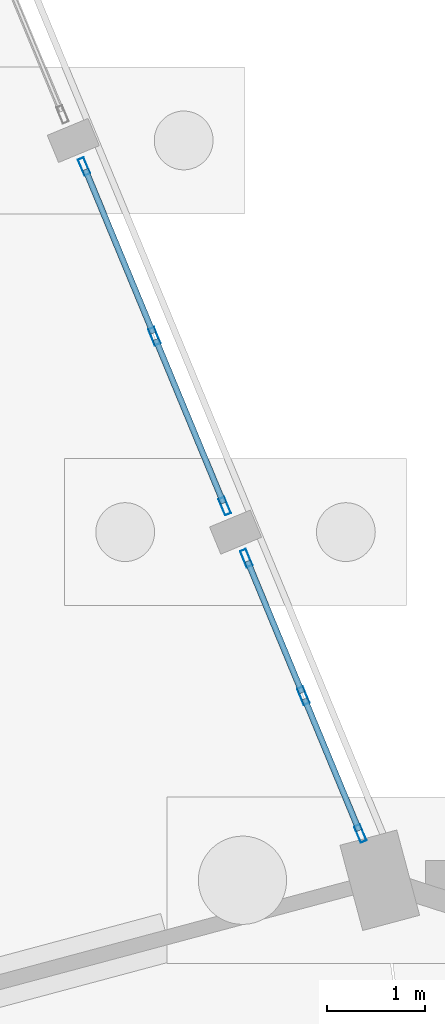
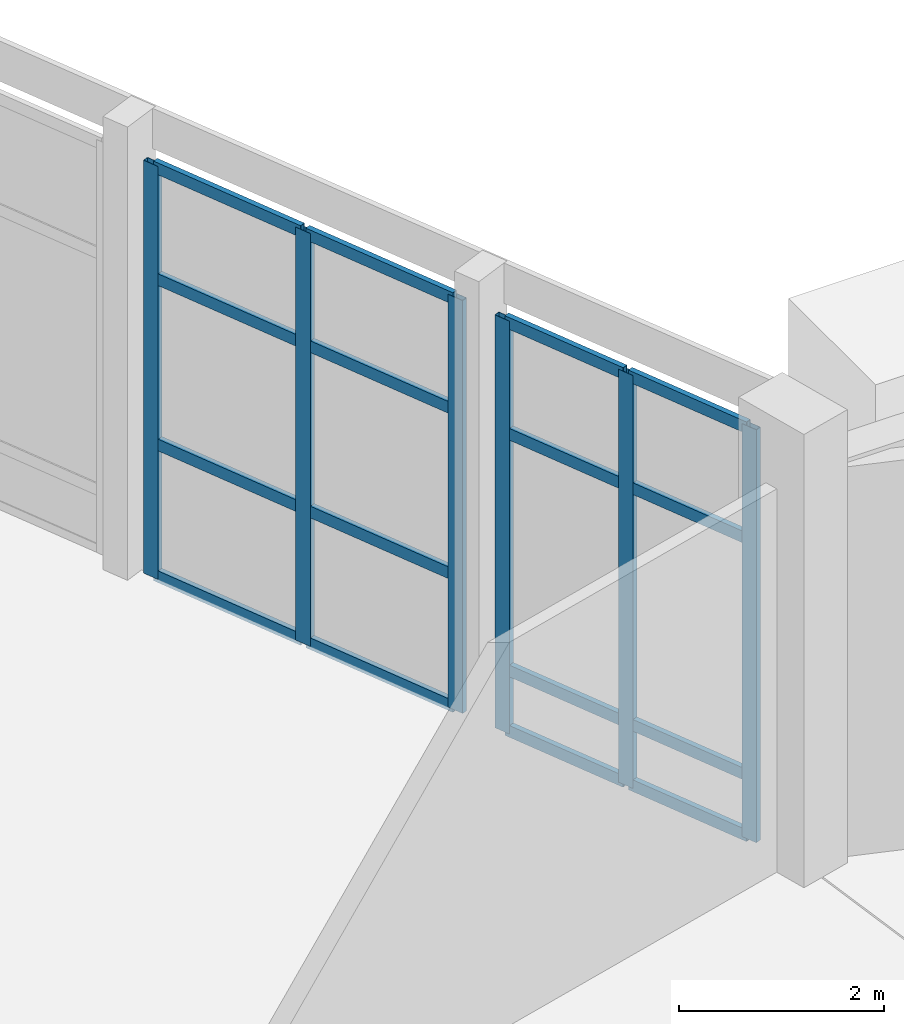
# One storey, part 77 of 137: 22 members, 2 elements without a shape of their own.
"""IFC4 building model written with IfcOpenShell, lengths in metres."""

from ifc_helpers import new_model, si_unit, direction, frame, origin, origin_2d, place, context, subcontext, project, spatial, hollow_rectangle, extrude, material, material_profile, profile_set, type_object, element, aggregate, save


model = new_model("IFC4")

# Units and contexts
model_context = context("Model", 3, precision=1e-05, world=origin(), true_north=direction((0.0, 1.0)))
body_context = subcontext(model_context, "Body", "Model", "MODEL_VIEW")
ifc_project = project(units=[si_unit("LENGTHUNIT", "METRE"), si_unit("AREAUNIT", "SQUARE_METRE"), si_unit("VOLUMEUNIT", "CUBIC_METRE"), si_unit("PLANEANGLEUNIT", "RADIAN"), si_unit("MASSUNIT", "GRAM", prefix="KILO")], contexts=[model_context])

# Site, building, storey
site_placement = place(None, origin())
site = spatial("IfcSite", under=ifc_project, at=site_placement, CompositionType="ELEMENT")
building_placement = place(site_placement, origin())
building = spatial("IfcBuilding", under=site, at=building_placement, Name="Vondelvale Polytechnic", CompositionType="ELEMENT")
storey_placement = place(building_placement, origin())
storey = spatial("IfcBuildingStorey", under=building, at=storey_placement, Name="L00", CompositionType="ELEMENT", Elevation=0.0)

# Curtain wall, members
ifc_material_1 = material(Name="Glulam GL18 structural Tasmanian oak (fb = 42 MPa)", Category="wood")
curtain_wall_type = type_object("IfcCurtainWallType", Name="CW-RING-OUTER", PredefinedType="NOTDEFINED", material=ifc_material_1)
curtain_wall_1_placement = place(storey_placement, origin())
curtain_wall_1 = element("IfcCurtainWall", 1, at=curtain_wall_1_placement, inside=storey, type_object=curtain_wall_type, Name="L00 architectural curtain wall CW-04-074", PredefinedType="NOTDEFINED")
ifc_material_2 = material(Name="Anodised extruded aluminium 6063-T6", Category="aluminium")
ifc_material_profile_1 = material_profile(ifc_material_2, hollow_rectangle(XDim=0.06494140625, YDim=0.179931640625, WallThickness=0.00390625, at=origin_2d()), Name="CW-MUL-180x65")
ifc_profile_set_1 = profile_set([ifc_material_profile_1], Name="Anodised extruded aluminium 6063-T6")
member_type_1 = type_object("IfcMemberType", Name="CW-MUL-65x180", PredefinedType="MULLION", material=ifc_profile_set_1)
member_1_placement = place(storey_placement, frame((146.23486328125, 84.3828125, 0.0), z_axis=(0.0, 0.0, 1.0), x_axis=(-0.92388135159, -0.382679040691, 0.0)))
member_1 = element("IfcMember", 2, at=member_1_placement, type_object=member_type_1, Name="CW-04-074 mullion 1", PredefinedType="MULLION", context=body_context, shape_type="SweptSolid", body=[
    extrude(hollow_rectangle(XDim=0.06494140625, YDim=0.179931640625, WallThickness=0.00390625, at=origin_2d()), origin(), (0.0, 0.0, 1.0), 4.919921875),
])
member_2_placement = place(storey_placement, frame((145.653564453125, 85.78662109375, 0.0), z_axis=(0.0, 0.0, 1.0), x_axis=(-0.92388135159, -0.382679040691, 0.0)))
member_2 = element("IfcMember", 3, at=member_2_placement, type_object=member_type_1, Name="CW-04-074 mullion 2", PredefinedType="MULLION", context=body_context, shape_type="SweptSolid", body=[
    extrude(hollow_rectangle(XDim=0.06494140625, YDim=0.179931640625, WallThickness=0.00390625, at=origin_2d()), origin(), (0.0, 0.0, 1.0), 4.919921875),
])
member_3_placement = place(storey_placement, frame((145.072021484375, 87.190185546875, 0.0), z_axis=(0.0, 0.0, 1.0), x_axis=(-0.92388135159, -0.382679040691, 0.0)))
member_3 = element("IfcMember", 4, at=member_3_placement, type_object=member_type_1, Name="CW-04-074 mullion 3", PredefinedType="MULLION", context=body_context, shape_type="SweptSolid", body=[
    extrude(hollow_rectangle(XDim=0.06494140625, YDim=0.179931640625, WallThickness=0.00390625, at=origin_2d()), origin(), (0.0, 0.0, 1.0), 4.919921875),
])

curtain_wall_2_placement = place(storey_placement, origin())
curtain_wall_2 = element("IfcCurtainWall", 5, at=curtain_wall_2_placement, inside=storey, type_object=curtain_wall_type, Name="L00 architectural curtain wall CW-04-075", PredefinedType="NOTDEFINED")
member_4_placement = place(storey_placement, frame((144.85205078125, 87.721435546875, 0.0), z_axis=(0.0, 0.0, 1.0), x_axis=(-0.92387490701, -0.382694599123, 0.0)))
member_4 = element("IfcMember", 6, at=member_4_placement, type_object=member_type_1, Name="CW-04-075 mullion 1", PredefinedType="MULLION", context=body_context, shape_type="SweptSolid", body=[
    extrude(hollow_rectangle(XDim=0.06494140625, YDim=0.179931640625, WallThickness=0.00390625, at=origin_2d()), origin(), (0.0, 0.0, 1.0), 4.919921875),
])
member_5_placement = place(storey_placement, frame((144.135009765625, 89.452880859375, 0.0), z_axis=(0.0, 0.0, 1.0), x_axis=(-0.92387490701, -0.382694599123, 0.0)))
member_5 = element("IfcMember", 7, at=member_5_placement, type_object=member_type_1, Name="CW-04-075 mullion 2", PredefinedType="MULLION", context=body_context, shape_type="SweptSolid", body=[
    extrude(hollow_rectangle(XDim=0.06494140625, YDim=0.179931640625, WallThickness=0.00390625, at=origin_2d()), origin(), (0.0, 0.0, 1.0), 4.919921875),
])
member_6_placement = place(storey_placement, frame((143.417724609375, 91.18408203125, 0.0), z_axis=(0.0, 0.0, 1.0), x_axis=(-0.92387490701, -0.382694599123, 0.0)))
member_6 = element("IfcMember", 8, at=member_6_placement, type_object=member_type_1, Name="CW-04-075 mullion 3", PredefinedType="MULLION", context=body_context, shape_type="SweptSolid", body=[
    extrude(hollow_rectangle(XDim=0.06494140625, YDim=0.179931640625, WallThickness=0.00390625, at=origin_2d()), origin(), (0.0, 0.0, 1.0), 4.919921875),
])

# Member
ifc_material_profile_2 = material_profile(ifc_material_2, hollow_rectangle(XDim=0.06005859375, YDim=0.139892578125, WallThickness=0.00341796875, at=origin_2d()), Name="CW-TRN-140x60")
ifc_profile_set_2 = profile_set([ifc_material_profile_2], Name="Anodised extruded aluminium 6063-T6")
member_type_2 = type_object("IfcMemberType", Name="CW-TRN-60x140", PredefinedType="USERDEFINED", material=ifc_profile_set_2)
member_7_placement = place(storey_placement, frame((146.222412109375, 84.412841796875, 0.030029296875), z_axis=(-0.382564297979, 0.923928870591, 0.0), x_axis=(-0.923928870591, -0.382564297979, 0.0)))
member_7 = element("IfcMember", 9, at=member_7_placement, type_object=member_type_2, Name="CW-04-074 transom 1.1", ObjectType="TRANSOM", PredefinedType="USERDEFINED", context=body_context, shape_type="SweptSolid", body=[
    extrude(hollow_rectangle(XDim=0.06005859375, YDim=0.139892578125, WallThickness=0.00341796875, at=origin_2d()), origin(), (0.0, 0.0, 1.0), 1.454345703125),
])

member_8_placement = place(storey_placement, frame((146.222412109375, 84.412841796875, 0.75), z_axis=(-0.382564297979, 0.923928870591, 0.0), x_axis=(-0.923928870591, -0.382564297979, 0.0)))
member_8 = element("IfcMember", 10, at=member_8_placement, type_object=member_type_2, Name="CW-04-074 transom 1.2", ObjectType="TRANSOM", PredefinedType="USERDEFINED", context=body_context, shape_type="SweptSolid", body=[
    extrude(hollow_rectangle(XDim=0.06005859375, YDim=0.139892578125, WallThickness=0.00341796875, at=origin_2d()), origin(), (0.0, 0.0, 1.0), 1.454345703125),
])

member_9_placement = place(storey_placement, frame((146.222412109375, 84.412841796875, 3.570068359375), z_axis=(-0.382564297979, 0.923928870591, 0.0), x_axis=(-0.923928870591, -0.382564297979, 0.0)))
member_9 = element("IfcMember", 11, at=member_9_placement, type_object=member_type_2, Name="CW-04-074 transom 1.3", ObjectType="TRANSOM", PredefinedType="USERDEFINED", context=body_context, shape_type="SweptSolid", body=[
    extrude(hollow_rectangle(XDim=0.06005859375, YDim=0.139892578125, WallThickness=0.00341796875, at=origin_2d()), origin(), (0.0, 0.0, 1.0), 1.454345703125),
])

member_10_placement = place(storey_placement, frame((146.222412109375, 84.412841796875, 4.889892578125), z_axis=(-0.382564297979, 0.923928870591, 0.0), x_axis=(-0.923928870591, -0.382564297979, 0.0)))
member_10 = element("IfcMember", 12, at=member_10_placement, type_object=member_type_2, Name="CW-04-074 transom 1.4", ObjectType="TRANSOM", PredefinedType="USERDEFINED", context=body_context, shape_type="SweptSolid", body=[
    extrude(hollow_rectangle(XDim=0.06005859375, YDim=0.139892578125, WallThickness=0.00341796875, at=origin_2d()), origin(), (0.0, 0.0, 1.0), 1.454345703125),
])

member_11_placement = place(storey_placement, frame((145.64111328125, 85.816650390625, 0.030029296875), z_axis=(-0.382766938144, 0.923844938863, 0.0), x_axis=(-0.923844938863, -0.382766938144, 0.0)))
member_11 = element("IfcMember", 13, at=member_11_placement, type_object=member_type_2, Name="CW-04-074 transom 2.1", ObjectType="TRANSOM", PredefinedType="USERDEFINED", context=body_context, shape_type="SweptSolid", body=[
    extrude(hollow_rectangle(XDim=0.06005859375, YDim=0.139892578125, WallThickness=0.00341796875, at=origin_2d()), origin(), (0.0, 0.0, 1.0), 1.454345703125),
])

member_12_placement = place(storey_placement, frame((145.64111328125, 85.816650390625, 0.75), z_axis=(-0.382766938144, 0.923844938863, 0.0), x_axis=(-0.923844938863, -0.382766938144, 0.0)))
member_12 = element("IfcMember", 14, at=member_12_placement, type_object=member_type_2, Name="CW-04-074 transom 2.2", ObjectType="TRANSOM", PredefinedType="USERDEFINED", context=body_context, shape_type="SweptSolid", body=[
    extrude(hollow_rectangle(XDim=0.06005859375, YDim=0.139892578125, WallThickness=0.00341796875, at=origin_2d()), origin(), (0.0, 0.0, 1.0), 1.454345703125),
])

member_13_placement = place(storey_placement, frame((145.64111328125, 85.816650390625, 3.570068359375), z_axis=(-0.382766938144, 0.923844938863, 0.0), x_axis=(-0.923844938863, -0.382766938144, 0.0)))
member_13 = element("IfcMember", 15, at=member_13_placement, type_object=member_type_2, Name="CW-04-074 transom 2.3", ObjectType="TRANSOM", PredefinedType="USERDEFINED", context=body_context, shape_type="SweptSolid", body=[
    extrude(hollow_rectangle(XDim=0.06005859375, YDim=0.139892578125, WallThickness=0.00341796875, at=origin_2d()), origin(), (0.0, 0.0, 1.0), 1.454345703125),
])

member_14_placement = place(storey_placement, frame((145.64111328125, 85.816650390625, 4.889892578125), z_axis=(-0.382766938144, 0.923844938863, 0.0), x_axis=(-0.923844938863, -0.382766938144, 0.0)))
member_14 = element("IfcMember", 16, at=member_14_placement, type_object=member_type_2, Name="CW-04-074 transom 2.4", ObjectType="TRANSOM", PredefinedType="USERDEFINED", context=body_context, shape_type="SweptSolid", body=[
    extrude(hollow_rectangle(XDim=0.06005859375, YDim=0.139892578125, WallThickness=0.00341796875, at=origin_2d()), origin(), (0.0, 0.0, 1.0), 1.454345703125),
])

aggregate(curtain_wall_1, [member_1, member_2, member_3, member_7, member_8, member_9, member_10, member_11, member_12, member_13, member_14])

member_15_placement = place(storey_placement, frame((144.839599609375, 87.75146484375, 0.030029296875), z_axis=(-0.382717291485, 0.923865506878, 0.0), x_axis=(-0.923865506878, -0.382717291485, 0.0)))
member_15 = element("IfcMember", 17, at=member_15_placement, type_object=member_type_2, Name="CW-04-075 transom 1.1", ObjectType="TRANSOM", PredefinedType="USERDEFINED", context=body_context, shape_type="SweptSolid", body=[
    extrude(hollow_rectangle(XDim=0.06005859375, YDim=0.139892578125, WallThickness=0.00341796875, at=origin_2d()), origin(), (0.0, 0.0, 1.0), 1.80908203125),
])

member_16_placement = place(storey_placement, frame((144.839599609375, 87.75146484375, 1.60009765625), z_axis=(-0.382717291485, 0.923865506878, 0.0), x_axis=(-0.923865506878, -0.382717291485, 0.0)))
member_16 = element("IfcMember", 18, at=member_16_placement, type_object=member_type_2, Name="CW-04-075 transom 1.2", ObjectType="TRANSOM", PredefinedType="USERDEFINED", context=body_context, shape_type="SweptSolid", body=[
    extrude(hollow_rectangle(XDim=0.06005859375, YDim=0.139892578125, WallThickness=0.00341796875, at=origin_2d()), origin(), (0.0, 0.0, 1.0), 1.80908203125),
])

member_17_placement = place(storey_placement, frame((144.839599609375, 87.75146484375, 3.570068359375), z_axis=(-0.382717291485, 0.923865506878, 0.0), x_axis=(-0.923865506878, -0.382717291485, 0.0)))
member_17 = element("IfcMember", 19, at=member_17_placement, type_object=member_type_2, Name="CW-04-075 transom 1.3", ObjectType="TRANSOM", PredefinedType="USERDEFINED", context=body_context, shape_type="SweptSolid", body=[
    extrude(hollow_rectangle(XDim=0.06005859375, YDim=0.139892578125, WallThickness=0.00341796875, at=origin_2d()), origin(), (0.0, 0.0, 1.0), 1.80908203125),
])

member_18_placement = place(storey_placement, frame((144.839599609375, 87.75146484375, 4.889892578125), z_axis=(-0.382717291485, 0.923865506878, 0.0), x_axis=(-0.923865506878, -0.382717291485, 0.0)))
member_18 = element("IfcMember", 20, at=member_18_placement, type_object=member_type_2, Name="CW-04-075 transom 1.4", ObjectType="TRANSOM", PredefinedType="USERDEFINED", context=body_context, shape_type="SweptSolid", body=[
    extrude(hollow_rectangle(XDim=0.06005859375, YDim=0.139892578125, WallThickness=0.00341796875, at=origin_2d()), origin(), (0.0, 0.0, 1.0), 1.80908203125),
])

member_19_placement = place(storey_placement, frame((144.12255859375, 89.48291015625, 0.030029296875), z_axis=(-0.382765012338, 0.92384573676, 0.0), x_axis=(-0.92384573676, -0.382765012338, 0.0)))
member_19 = element("IfcMember", 21, at=member_19_placement, type_object=member_type_2, Name="CW-04-075 transom 2.1", ObjectType="TRANSOM", PredefinedType="USERDEFINED", context=body_context, shape_type="SweptSolid", body=[
    extrude(hollow_rectangle(XDim=0.06005859375, YDim=0.139892578125, WallThickness=0.00341796875, at=origin_2d()), origin(), (0.0, 0.0, 1.0), 1.808837890625),
])

member_20_placement = place(storey_placement, frame((144.12255859375, 89.48291015625, 1.60009765625), z_axis=(-0.382765012338, 0.92384573676, 0.0), x_axis=(-0.92384573676, -0.382765012338, 0.0)))
member_20 = element("IfcMember", 22, at=member_20_placement, type_object=member_type_2, Name="CW-04-075 transom 2.2", ObjectType="TRANSOM", PredefinedType="USERDEFINED", context=body_context, shape_type="SweptSolid", body=[
    extrude(hollow_rectangle(XDim=0.06005859375, YDim=0.139892578125, WallThickness=0.00341796875, at=origin_2d()), origin(), (0.0, 0.0, 1.0), 1.808837890625),
])

member_21_placement = place(storey_placement, frame((144.12255859375, 89.48291015625, 3.570068359375), z_axis=(-0.382765012338, 0.92384573676, 0.0), x_axis=(-0.92384573676, -0.382765012338, 0.0)))
member_21 = element("IfcMember", 23, at=member_21_placement, type_object=member_type_2, Name="CW-04-075 transom 2.3", ObjectType="TRANSOM", PredefinedType="USERDEFINED", context=body_context, shape_type="SweptSolid", body=[
    extrude(hollow_rectangle(XDim=0.06005859375, YDim=0.139892578125, WallThickness=0.00341796875, at=origin_2d()), origin(), (0.0, 0.0, 1.0), 1.808837890625),
])

member_22_placement = place(storey_placement, frame((144.12255859375, 89.48291015625, 4.889892578125), z_axis=(-0.382765012338, 0.92384573676, 0.0), x_axis=(-0.92384573676, -0.382765012338, 0.0)))
member_22 = element("IfcMember", 24, at=member_22_placement, type_object=member_type_2, Name="CW-04-075 transom 2.4", ObjectType="TRANSOM", PredefinedType="USERDEFINED", context=body_context, shape_type="SweptSolid", body=[
    extrude(hollow_rectangle(XDim=0.06005859375, YDim=0.139892578125, WallThickness=0.00341796875, at=origin_2d()), origin(), (0.0, 0.0, 1.0), 1.808837890625),
])

aggregate(curtain_wall_2, [member_4, member_5, member_6, member_15, member_16, member_17, member_18, member_19, member_20, member_21, member_22])

save(model, "model.ifc")
